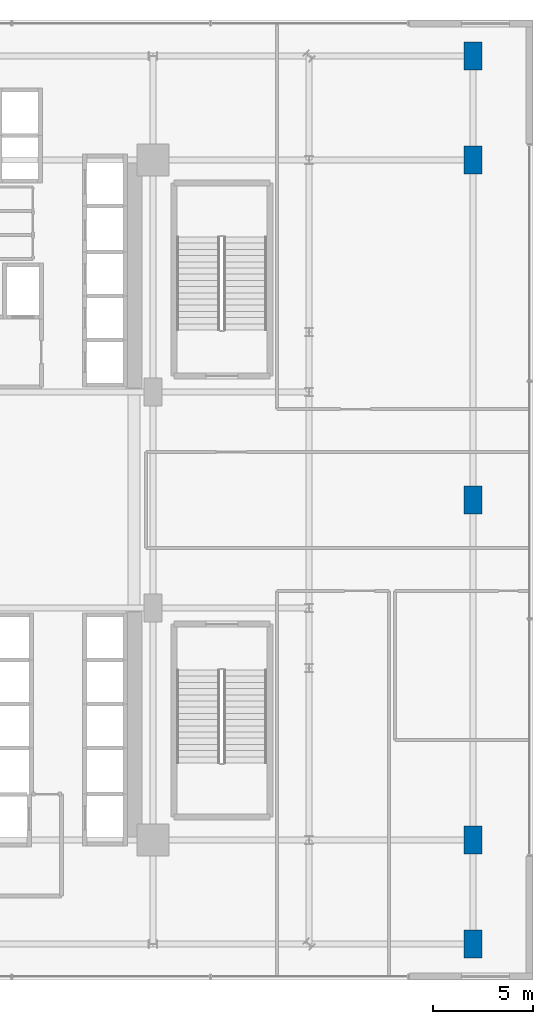
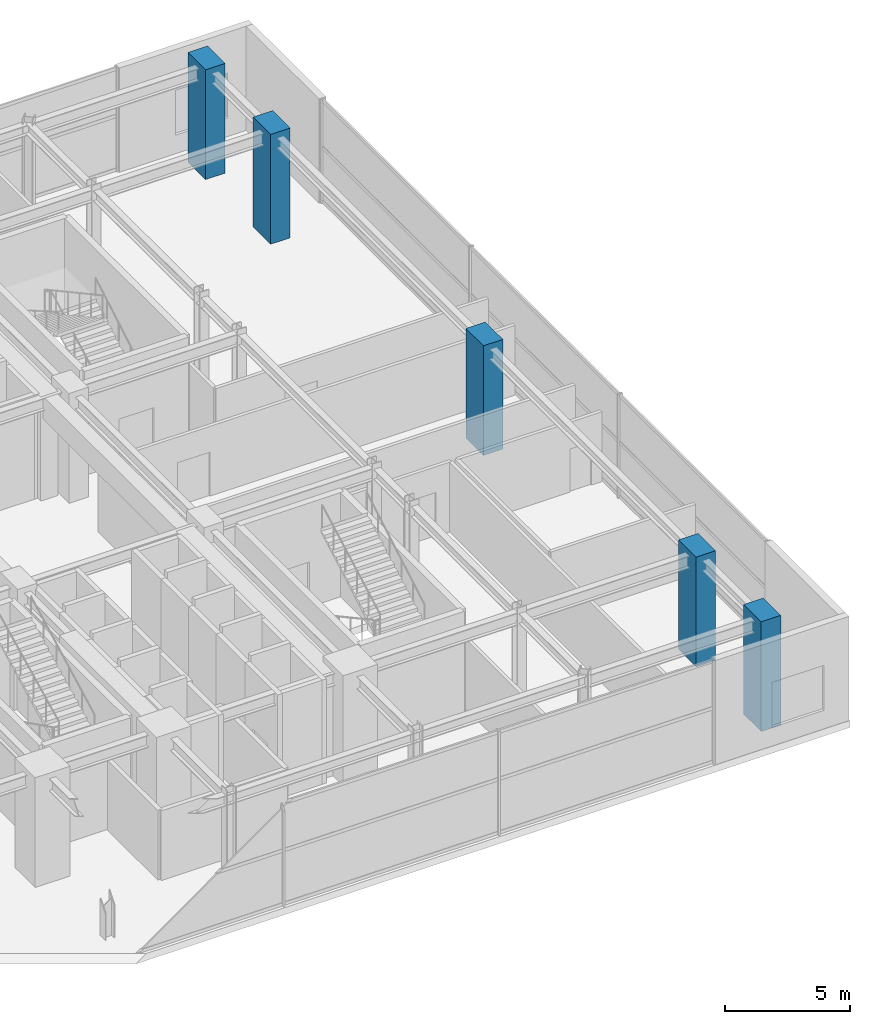
# One storey, part 3 of 34: 5 columns.
"""IFC4 building model written with IfcOpenShell, lengths in metres."""

import ifcopenshell
import ifcopenshell.guid

model = None  # the IFC model being written
_history = None  # IfcOwnerHistory: only IFC2X3 demands one
_inside = {}  # id of a spatial element -> (the spatial element, [elements in it])
_under = {}  # id of a project, library or spatial element -> (it, [spatial elements below it])
_declared = {}  # id of a project -> (the project, [libraries it declares])
_typed = {}  # id of a type object -> (the type object, [elements of that type])
_made_of = {}  # id of a material, layer set ... -> (it, [elements and type objects made of it])


def new_model(schema):
    """Start an empty IFC model of exactly this schema.

    Asked for "IFC4X3", IfcOpenShell would pick the latest addendum, in which some entities
    have other attributes; the version numbers below select the first issue.
    IFC2X3 requires an IfcOwnerHistory on every rooted entity: one is made here for all.
    """
    global model, _history
    if schema == "IFC4X3":
        model = ifcopenshell.file(schema_version=(4, 3, 0, 0))
    else:
        model = ifcopenshell.file(schema=schema)
    _inside.clear()
    _under.clear()
    _declared.clear()
    _typed.clear()
    _made_of.clear()
    _history = None
    if model.schema == "IFC2X3":
        org = make("IfcOrganization", Name="unknown")
        user = make(
            "IfcPersonAndOrganization",
            ThePerson=make("IfcPerson", FamilyName="unknown"),
            TheOrganization=org,
        )
        app = make(
            "IfcApplication",
            ApplicationDeveloper=org,
            Version="unknown",
            ApplicationFullName="unknown",
            ApplicationIdentifier="unknown",
        )
        _history = make(
            "IfcOwnerHistory",
            OwningUser=user,
            OwningApplication=app,
            ChangeAction="ADDED",
            CreationDate=0,
        )
    return model


def make(cls, **values):
    """One entity of the class cls with the attributes given. An attribute that is None is left unset."""
    return model.create_entity(
        cls, **{name: value for name, value in values.items() if value is not None}
    )


def rooted(cls, **values):
    """An entity with a GlobalId (a new one), such as an element, a storey or a relation."""
    return make(cls, GlobalId=ifcopenshell.guid.new(), OwnerHistory=_history, **values)


def si_unit(unit_type, name, prefix=None):
    """IfcSIUnit, for example si_unit("LENGTHUNIT", "METRE", prefix="MILLI")."""
    return make("IfcSIUnit", UnitType=unit_type, Prefix=prefix, Name=name)


def assignment(units):
    """IfcUnitAssignment: the units of a project."""
    return None if units is None else make("IfcUnitAssignment", Units=units)


def point(xyz):
    """IfcCartesianPoint."""
    return None if xyz is None else make("IfcCartesianPoint", Coordinates=xyz)


def direction(xyz):
    """IfcDirection."""
    return None if xyz is None else make("IfcDirection", DirectionRatios=xyz)


def frame(location, z_axis=None, x_axis=None):
    """IfcAxis2Placement3D, a coordinate frame: its origin and axes. An axis left out is left unset."""
    return make(
        "IfcAxis2Placement3D",
        Location=point(location),
        Axis=direction(z_axis),
        RefDirection=direction(x_axis),
    )


def frame_2d(location, x_axis=None):
    """IfcAxis2Placement2D, a coordinate frame in the plane: its origin and x axis."""
    return make(
        "IfcAxis2Placement2D", Location=point(location), RefDirection=direction(x_axis)
    )


def origin():
    """The frame at (0, 0, 0) with its axes left unset."""
    return frame((0.0, 0.0, 0.0))


def origin_2d():
    """The frame at (0, 0) in the plane with its x axis left unset."""
    return frame_2d((0.0, 0.0))


def place(relative_to, where):
    """IfcLocalPlacement: puts the frame where relative to a parent placement (None: the world)."""
    return make(
        "IfcLocalPlacement", PlacementRelTo=relative_to, RelativePlacement=where
    )


def context(
    kind, dimensions, precision=None, world=None, true_north=None, identifier=None
):
    """IfcGeometricRepresentationContext, for example the 3D "Model" context."""
    return make(
        "IfcGeometricRepresentationContext",
        ContextIdentifier=identifier,
        ContextType=kind,
        CoordinateSpaceDimension=dimensions,
        Precision=precision,
        WorldCoordinateSystem=world,
        TrueNorth=true_north,
    )


def subcontext(parent, identifier, kind, view, scale=None):
    """IfcGeometricRepresentationSubContext, for example "Body" below "Model"."""
    return make(
        "IfcGeometricRepresentationSubContext",
        ContextIdentifier=identifier,
        ContextType=kind,
        ParentContext=parent,
        TargetScale=scale,
        TargetView=view,
    )


def project(units=None, contexts=None):
    """IfcProject with its units and contexts."""
    return rooted(
        "IfcProject",
        Name="project",
        RepresentationContexts=contexts,
        UnitsInContext=assignment(units),
    )


def spatial(cls, under=None, at=None, **own):
    """A site, building, storey or space (cls), placed at a placement, below another one or the project."""
    s = rooted(cls, ObjectPlacement=at, **own)
    if under is not None:
        _under.setdefault(under.id(), (under, []))[1].append(s)
    return s


def profile(cls, at=None, kind="AREA", **sizes):
    """A parametric profile (cls). Its sizes go by their IFC names, for example OverallWidth=200.0."""
    return make(cls, ProfileType=kind, Position=at, **sizes)


def rectangle(**sizes):
    """IfcRectangleProfileDef."""
    return profile("IfcRectangleProfileDef", **sizes)


def extrude(swept, where, along, depth):
    """IfcExtrudedAreaSolid: the profile swept, set in the frame where, extruded along a direction by depth."""
    return make(
        "IfcExtrudedAreaSolid",
        SweptArea=swept,
        Position=where,
        ExtrudedDirection=direction(along),
        Depth=depth,
    )


def shape(context_of_items, identifier, shape_type, items):
    """IfcShapeRepresentation: the items that make up one representation, for example the "Body"."""
    return make(
        "IfcShapeRepresentation",
        ContextOfItems=context_of_items,
        RepresentationIdentifier=identifier,
        RepresentationType=shape_type,
        Items=items,
    )


def source(mapping_origin, context_of_items, identifier, shape_type, items):
    """IfcRepresentationMap: a shape defined once, which mapped items show again and again."""
    return make(
        "IfcRepresentationMap",
        MappingOrigin=mapping_origin,
        MappedRepresentation=shape(context_of_items, identifier, shape_type, items),
    )


def transform(
    local_origin,
    x_axis=None,
    y_axis=None,
    z_axis=None,
    scale=None,
    scale2=None,
    scale3=None,
    uniform=True,
):
    """IfcCartesianTransformationOperator3D, or its non-uniform kind. x_axis, y_axis, z_axis: its Axis1, 2, 3."""
    if uniform:
        return make(
            "IfcCartesianTransformationOperator3D",
            Axis1=direction(x_axis),
            Axis2=direction(y_axis),
            LocalOrigin=point(local_origin),
            Scale=scale,
            Axis3=direction(z_axis),
        )
    return make(
        "IfcCartesianTransformationOperator3DnonUniform",
        Axis1=direction(x_axis),
        Axis2=direction(y_axis),
        LocalOrigin=point(local_origin),
        Scale=scale,
        Axis3=direction(z_axis),
        Scale2=scale2,
        Scale3=scale3,
    )


def mapped(mapping_source, mapping_target):
    """IfcMappedItem: shows the shape of a source again, moved by a transform."""
    return make(
        "IfcMappedItem", MappingSource=mapping_source, MappingTarget=mapping_target
    )


def material(Name=None, Category=None):
    """IfcMaterial."""
    return make("IfcMaterial", Name=Name, Category=Category)


def material_profile(
    of_material, cross_section, Name=None, Category=None, Priority=None
):
    """IfcMaterialProfile: a cross section and its material."""
    return make(
        "IfcMaterialProfile",
        Name=Name,
        Material=of_material,
        Profile=cross_section,
        Priority=Priority,
        Category=Category,
    )


def profile_set(profiles, Name=None, composite=None):
    """IfcMaterialProfileSet."""
    return make(
        "IfcMaterialProfileSet",
        Name=Name,
        MaterialProfiles=profiles,
        CompositeProfile=composite,
    )


def made_of(thing, what):
    """Note that an element or type object is made of a material, layer set ...; save() writes the relation."""
    if what is not None:
        _made_of.setdefault(what.id(), (what, []))[1].append(thing)
    return thing


def type_object(cls, material=None, **own):
    """A type object (cls), such as IfcWallType, which elements share."""
    return made_of(rooted(cls, **own), material)


def element(
    cls,
    number,
    at=None,
    inside=None,
    cuts=None,
    type_object=None,
    material=None,
    context=None,
    identifier="Body",
    shape_type=None,
    held_by="IfcProductDefinitionShape",
    body=None,
    shapes=None,
    **own,
):
    """One element of the class cls, such as IfcWall. Its Tag is "e" and its number.

    at: its placement. inside: the storey or other place that contains it. cuts: it is an
    opening in that element (IfcRelVoidsElement). A single representation is given by context,
    identifier, shape_type and body (its items); several are given by shapes. held_by: the class
    of the entity that holds the representations. save() writes the other relations.
    """
    e = rooted(cls, Tag="e%d" % number, ObjectPlacement=at, **own)
    if body is not None:
        shapes = [shape(context, identifier, shape_type, body)]
    if shapes is not None:
        e.Representation = make(held_by, Representations=shapes)
    if inside is not None:
        _inside.setdefault(inside.id(), (inside, []))[1].append(e)
    if cuts is not None:
        rooted(
            "IfcRelVoidsElement", RelatingBuildingElement=cuts, RelatedOpeningElement=e
        )
    if type_object is not None:
        _typed.setdefault(type_object.id(), (type_object, []))[1].append(e)
    return made_of(e, material)


def aggregate(whole, parts):
    """IfcRelAggregates: a whole, such as a stair, and the parts it consists of."""
    return rooted("IfcRelAggregates", RelatingObject=whole, RelatedObjects=parts)


def save(model, path):
    """Write the relations noted so far, then the file.

    IfcRelAggregates (storeys below a building ...), IfcRelContainedInSpatialStructure (elements
    in a storey), IfcRelDefinesByType, IfcRelAssociatesMaterial and IfcRelDeclares: one each for
    every whole, place, type object, material and project.
    """
    for whole, parts in _under.values():
        aggregate(whole, parts)
    for where, things in _inside.values():
        rooted(
            "IfcRelContainedInSpatialStructure",
            RelatedElements=things,
            RelatingStructure=where,
        )
    for kind, things in _typed.values():
        rooted("IfcRelDefinesByType", RelatedObjects=things, RelatingType=kind)
    for what, things in _made_of.values():
        rooted("IfcRelAssociatesMaterial", RelatedObjects=things, RelatingMaterial=what)
    for by, libraries in _declared.values():
        rooted("IfcRelDeclares", RelatingContext=by, RelatedDefinitions=libraries)
    model.write(path)


model = new_model("IFC4")

# Units and contexts
model_context = context("Model", 3, precision=1e-05, world=origin(), true_north=direction((0.0, 1.0)))
body_context = subcontext(model_context, "Body", "Model", "MODEL_VIEW")
ifc_project = project(units=[si_unit("LENGTHUNIT", "METRE"), si_unit("AREAUNIT", "SQUARE_METRE"), si_unit("VOLUMEUNIT", "CUBIC_METRE"), si_unit("PLANEANGLEUNIT", "RADIAN"), si_unit("MASSUNIT", "GRAM", prefix="KILO")], contexts=[model_context])

# Site, building, storey
site_placement = place(None, origin())
site = spatial("IfcSite", under=ifc_project, at=site_placement, CompositionType="ELEMENT")
building_placement = place(site_placement, origin())
building = spatial("IfcBuilding", under=site, at=building_placement, Name="Nahalor Promenade Grand Hotel", CompositionType="ELEMENT")
storey_placement = place(building_placement, frame((0.0, 0.0, 16.199951171875)))
storey = spatial("IfcBuildingStorey", under=building, at=storey_placement, Name="L03", CompositionType="ELEMENT", Elevation=16.199951171875)

# Columns
ifc_material = material(Name="Concrete B-60 (C50/60)", Category="concrete")
ifc_material_profile = material_profile(ifc_material, rectangle(XDim=0.9, YDim=1.4, at=origin_2d()), Name="RC 900x1400")
ifc_profile_set = profile_set([ifc_material_profile], Name="Concrete B-60 (C50/60)")
column_type = type_object("IfcColumnType", Name="Col-Pilaster-1400", PredefinedType="PILASTER", material=ifc_profile_set)
shared_shape = source(origin(), body_context, "Body", "SweptSolid", [
    extrude(rectangle(XDim=0.9, YDim=1.4, at=origin_2d()), origin(), (0.0, 0.0, 1.0), 5.35498046875),
])
for number, where, z_axis, x_axis, name in (
    (1, (33.0, -22.199951171875, 0.0), (0.0, 0.0, 1.0), (1.0, 0.0, 0.0), "COL-L03-PC-E0"),
    (2, (33.0, -17.0, 0.0), (0.0, 0.0, 1.0), (1.0, 0.0, 0.0), "COL-L03-PC-E1"),
    (3, (33.0, 0.0, 0.0), (0.0, 0.0, 1.0), (1.0, 0.0, 0.0), "COL-L03-PC-E2"),
    (4, (33.0, 17.0, 0.0), (0.0, 0.0, 1.0), (1.0, 0.0, 0.0), "COL-L03-PC-E3"),
    (5, (33.0, 22.199951171875, 0.0), (0.0, 0.0, 1.0), (1.0, 0.0, 0.0), "COL-L03-PC-E4"),
):
    element("IfcColumn", number, at=place(storey_placement, frame(where, z_axis=z_axis, x_axis=x_axis)), inside=storey, type_object=column_type, Name=name, PredefinedType="PILASTER", context=body_context, shape_type="MappedRepresentation", body=[
        mapped(shared_shape, transform((0.0, 0.0, 0.0), scale=1.0)),
    ])

save(model, "model.ifc")
